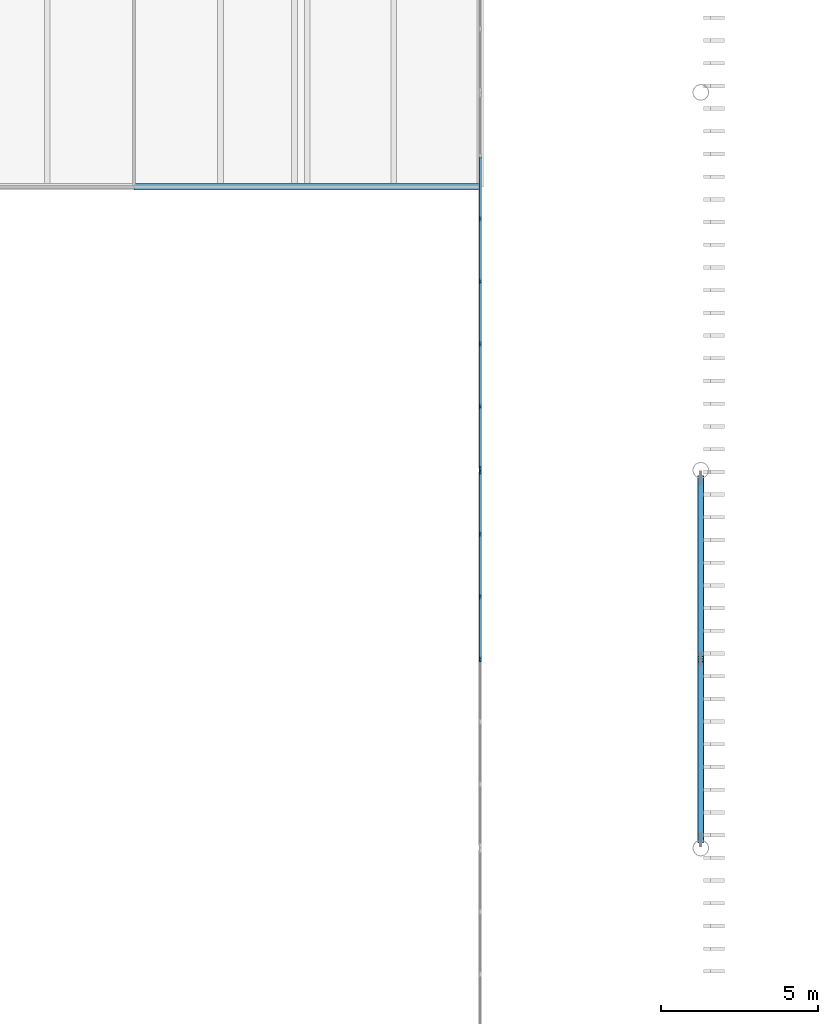
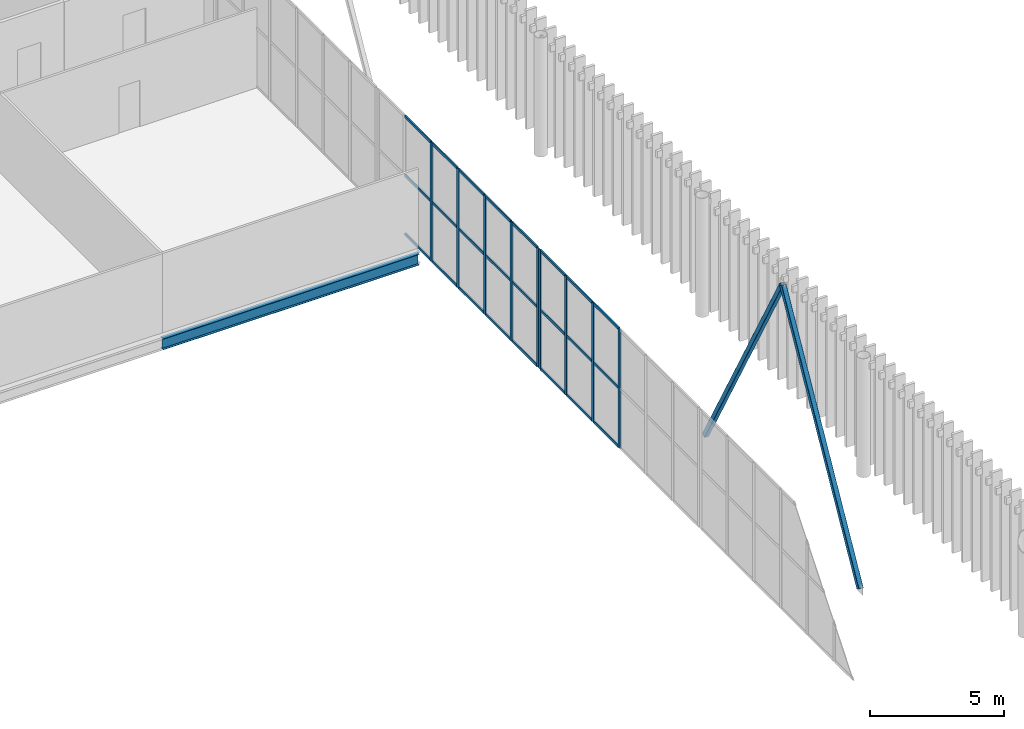
# One storey, part 71 of 170: 35 members, 1 beam, 2 elements without a shape of their own.
"""IFC4 building model written with IfcOpenShell, lengths in metres."""

from ifc_helpers import new_model, si_unit, direction, frame, origin, origin_2d, place, context, subcontext, project, spatial, rectangle, hollow_rectangle, i_section, extrude, material, layer, layer_set, material_profile, profile_set, type_object, element, aggregate, save


model = new_model("IFC4")

# Units and contexts
model_context = context("Model", 3, precision=1e-05, world=origin(), true_north=direction((0.0, 1.0)))
body_context = subcontext(model_context, "Body", "Model", "MODEL_VIEW")
ifc_project = project(units=[si_unit("LENGTHUNIT", "METRE"), si_unit("AREAUNIT", "SQUARE_METRE"), si_unit("VOLUMEUNIT", "CUBIC_METRE"), si_unit("PLANEANGLEUNIT", "RADIAN"), si_unit("MASSUNIT", "GRAM", prefix="KILO")], contexts=[model_context])

# Site, building, storey
site_placement = place(None, origin())
site = spatial("IfcSite", under=ifc_project, at=site_placement, CompositionType="ELEMENT")
building_placement = place(site_placement, origin())
building = spatial("IfcBuilding", under=site, at=building_placement, Name="Ravi Spectrum Wholesale Market", CompositionType="ELEMENT")
storey_placement = place(building_placement, frame((0.0, 0.0, 5.39990234375)))
storey = spatial("IfcBuildingStorey", under=building, at=storey_placement, Name="L01", CompositionType="ELEMENT", Elevation=5.39990234375)

# Beam
ifc_material_1 = material(Name="Steel S355", Category="steel")
ifc_material_profile_1 = material_profile(ifc_material_1, i_section(OverallWidth=0.199951171875, OverallDepth=0.5, WebThickness=0.01025390625, FlangeThickness=0.01611328125, at=origin_2d()))
ifc_profile_set_1 = profile_set([ifc_material_profile_1], Name="Steel S355")
beam_type = type_object("IfcBeamType", Name="IPE 500 girder", PredefinedType="BEAM", material=ifc_profile_set_1)
beam_placement = place(storey_placement, frame((92.0, 171.0, -0.5), z_axis=(1.0, 0.0, 0.0), x_axis=(0.0, 1.0, 0.0)))
element("IfcBeam", 1, at=beam_placement, inside=storey, type_object=beam_type, Name="H1-BM-L01-006", PredefinedType="BEAM", context=body_context, shape_type="SweptSolid", body=[
    extrude(i_section(OverallWidth=0.199951171875, OverallDepth=0.5, WebThickness=0.01025390625, FlangeThickness=0.01611328125, at=origin_2d()), origin(), (0.0, 0.0, 1.0), 11.0),
])

# Curtain wall, members
ifc_material_2 = material(Name="Aluminium 6063-T6", Category="aluminium")
ifc_layer = layer(ifc_material_2, 0.14990234375)
ifc_layer_set = layer_set([ifc_layer], Name="Aluminium 6063-T6")
curtain_wall_type = type_object("IfcCurtainWallType", Name="Curtain wall 150", PredefinedType="NOTDEFINED", material=ifc_layer_set)
curtain_wall_1_placement = place(storey_placement, origin())
curtain_wall_1 = element("IfcCurtainWall", 2, at=curtain_wall_1_placement, inside=storey, type_object=curtain_wall_type, Name="H1-CW-L01-025", PredefinedType="NOTDEFINED")
ifc_material_3 = material(Name="Aluminium 6063-T6", Category="aluminium")
ifc_material_profile_2 = material_profile(ifc_material_3, rectangle(XDim=0.06005859375, YDim=0.159912109375, at=origin_2d()))
ifc_profile_set_2 = profile_set([ifc_material_profile_2], Name="Aluminium 6063-T6")
member_type_1 = type_object("IfcMemberType", Name="Mullion 60 x 160", PredefinedType="MULLION", material=ifc_profile_set_2)
member_1_placement = place(storey_placement, frame((103.0, 156.0, 0.0), z_axis=(0.0, 0.0, 1.0), x_axis=(-1.0, 0.0, 0.0)))
member_1 = element("IfcMember", 3, at=member_1_placement, type_object=member_type_1, Name="H1-CW-L01-025 mullion 4", PredefinedType="MULLION", context=body_context, shape_type="SweptSolid", body=[
    extrude(rectangle(XDim=0.06005859375, YDim=0.159912109375, at=origin_2d()), origin(), (0.0, 0.0, 1.0), 5.400146484375),
])
member_2_placement = place(storey_placement, frame((103.0, 157.986572265625, 0.0), z_axis=(0.0, 0.0, 1.0), x_axis=(-1.0, 0.0, 0.0)))
member_2 = element("IfcMember", 4, at=member_2_placement, type_object=member_type_1, Name="H1-CW-L01-025 mullion 5", PredefinedType="MULLION", context=body_context, shape_type="SweptSolid", body=[
    extrude(rectangle(XDim=0.06005859375, YDim=0.159912109375, at=origin_2d()), origin(), (0.0, 0.0, 1.0), 5.400146484375),
])
member_3_placement = place(storey_placement, frame((103.0, 159.973388671875, 0.0), z_axis=(0.0, 0.0, 1.0), x_axis=(-1.0, 0.0, 0.0)))
member_3 = element("IfcMember", 5, at=member_3_placement, type_object=member_type_1, Name="H1-CW-L01-025 mullion 6", PredefinedType="MULLION", context=body_context, shape_type="SweptSolid", body=[
    extrude(rectangle(XDim=0.06005859375, YDim=0.159912109375, at=origin_2d()), origin(), (0.0, 0.0, 1.0), 5.400146484375),
])
member_4_placement = place(storey_placement, frame((103.0, 161.929931640625, 0.0), z_axis=(0.0, 0.0, 1.0), x_axis=(-1.0, 0.0, 0.0)))
member_4 = element("IfcMember", 6, at=member_4_placement, type_object=member_type_1, Name="H1-CW-L01-025 mullion 7", PredefinedType="MULLION", context=body_context, shape_type="SweptSolid", body=[
    extrude(rectangle(XDim=0.06005859375, YDim=0.159912109375, at=origin_2d()), origin(), (0.0, 0.0, 1.0), 5.400146484375),
])

curtain_wall_2_placement = place(storey_placement, origin())
curtain_wall_2 = element("IfcCurtainWall", 7, at=curtain_wall_2_placement, inside=storey, type_object=curtain_wall_type, Name="H1-CW-L01-026", PredefinedType="NOTDEFINED")
member_5_placement = place(storey_placement, frame((103.0, 162.070068359375, 0.0), z_axis=(0.0, 0.0, 1.0), x_axis=(-1.0, 0.0, 0.0)))
member_5 = element("IfcMember", 8, at=member_5_placement, type_object=member_type_1, Name="H1-CW-L01-026 mullion 1", PredefinedType="MULLION", context=body_context, shape_type="SweptSolid", body=[
    extrude(rectangle(XDim=0.06005859375, YDim=0.159912109375, at=origin_2d()), origin(), (0.0, 0.0, 1.0), 5.400146484375),
])
member_6_placement = place(storey_placement, frame((103.0, 164.026611328125, 0.0), z_axis=(0.0, 0.0, 1.0), x_axis=(-1.0, 0.0, 0.0)))
member_6 = element("IfcMember", 9, at=member_6_placement, type_object=member_type_1, Name="H1-CW-L01-026 mullion 2", PredefinedType="MULLION", context=body_context, shape_type="SweptSolid", body=[
    extrude(rectangle(XDim=0.06005859375, YDim=0.159912109375, at=origin_2d()), origin(), (0.0, 0.0, 1.0), 5.400146484375),
])
member_7_placement = place(storey_placement, frame((103.0, 166.013427734375, 0.0), z_axis=(0.0, 0.0, 1.0), x_axis=(-1.0, 0.0, 0.0)))
member_7 = element("IfcMember", 10, at=member_7_placement, type_object=member_type_1, Name="H1-CW-L01-026 mullion 3", PredefinedType="MULLION", context=body_context, shape_type="SweptSolid", body=[
    extrude(rectangle(XDim=0.06005859375, YDim=0.159912109375, at=origin_2d()), origin(), (0.0, 0.0, 1.0), 5.400146484375),
])
member_8_placement = place(storey_placement, frame((103.0, 168.0, 0.0), z_axis=(0.0, 0.0, 1.0), x_axis=(-1.0, 0.0, 0.0)))
member_8 = element("IfcMember", 11, at=member_8_placement, type_object=member_type_1, Name="H1-CW-L01-026 mullion 4", PredefinedType="MULLION", context=body_context, shape_type="SweptSolid", body=[
    extrude(rectangle(XDim=0.06005859375, YDim=0.159912109375, at=origin_2d()), origin(), (0.0, 0.0, 1.0), 5.400146484375),
])
member_9_placement = place(storey_placement, frame((103.0, 169.986572265625, 0.0), z_axis=(0.0, 0.0, 1.0), x_axis=(-1.0, 0.0, 0.0)))
member_9 = element("IfcMember", 12, at=member_9_placement, type_object=member_type_1, Name="H1-CW-L01-026 mullion 5", PredefinedType="MULLION", context=body_context, shape_type="SweptSolid", body=[
    extrude(rectangle(XDim=0.06005859375, YDim=0.159912109375, at=origin_2d()), origin(), (0.0, 0.0, 1.0), 5.400146484375),
])

# Members
ifc_material_4 = material(Name="Steel S355", Category="steel")
ifc_material_profile_3 = material_profile(ifc_material_4, hollow_rectangle(XDim=0.199951171875, YDim=0.199951171875, WallThickness=0.008056640625, InnerFilletRadius=0.008056640625, OuterFilletRadius=0.01611328125, at=origin_2d()))
ifc_profile_set_3 = profile_set([ifc_material_profile_3], Name="Steel S355")
member_type_2 = type_object("IfcMemberType", Name="SHS 200x200x8 brace", PredefinedType="BRACE", material=ifc_profile_set_3)
for number, where, z_axis, x_axis, name in (
    (13, (110.0, 150.25390625, -5.350830078125), (0.0, 0.487151805571, 0.873317306784), (-1.0, 0.0, 0.0), "H1-MB-L01-021"),
    (14, (110.0, 161.74609375, -5.350830078125), (0.0, -0.487151805571, 0.873317306784), (1.0, 0.0, 0.0), "H1-MB-L01-022"),
):
    element("IfcMember", number, at=place(storey_placement, frame(where, z_axis=z_axis, x_axis=x_axis)), inside=storey, type_object=member_type_2, Name=name, PredefinedType="BRACE", context=body_context, shape_type="SweptSolid", body=[
        extrude(hollow_rectangle(XDim=0.199951171875, YDim=0.199951171875, WallThickness=0.008056640625, InnerFilletRadius=0.008056640625, OuterFilletRadius=0.01611328125, at=origin_2d()), origin(), (0.0, 0.0, 1.0), 11.795166015625),
    ])

# Member
ifc_material_5 = material(Name="Aluminium 6063-T6", Category="aluminium")
ifc_material_profile_4 = material_profile(ifc_material_5, rectangle(XDim=0.06005859375, YDim=0.1201171875, at=origin_2d()))
ifc_profile_set_4 = profile_set([ifc_material_profile_4], Name="Aluminium 6063-T6")
member_type_3 = type_object("IfcMemberType", Name="Transom 60 x 120", PredefinedType="USERDEFINED", material=ifc_profile_set_4)
member_10_placement = place(storey_placement, frame((103.0, 156.030029296875, 0.030029296875), z_axis=(0.0, 1.0, 0.0), x_axis=(-1.0, 0.0, 0.0)))
member_10 = element("IfcMember", 15, at=member_10_placement, type_object=member_type_3, Name="H1-CW-L01-025 transom 4.1", ObjectType="TRANSOM", PredefinedType="USERDEFINED", context=body_context, shape_type="SweptSolid", body=[
    extrude(rectangle(XDim=0.06005859375, YDim=0.1201171875, at=origin_2d()), origin(), (0.0, 0.0, 1.0), 1.9267578125),
])

member_11_placement = place(storey_placement, frame((103.0, 156.030029296875, 2.7001953125), z_axis=(0.0, 1.0, 0.0), x_axis=(-1.0, 0.0, 0.0)))
member_11 = element("IfcMember", 16, at=member_11_placement, type_object=member_type_3, Name="H1-CW-L01-025 transom 4.2", ObjectType="TRANSOM", PredefinedType="USERDEFINED", context=body_context, shape_type="SweptSolid", body=[
    extrude(rectangle(XDim=0.06005859375, YDim=0.1201171875, at=origin_2d()), origin(), (0.0, 0.0, 1.0), 1.9267578125),
])

member_12_placement = place(storey_placement, frame((103.0, 156.030029296875, 5.3701171875), z_axis=(0.0, 1.0, 0.0), x_axis=(-1.0, 0.0, 0.0)))
member_12 = element("IfcMember", 17, at=member_12_placement, type_object=member_type_3, Name="H1-CW-L01-025 transom 4.3", ObjectType="TRANSOM", PredefinedType="USERDEFINED", context=body_context, shape_type="SweptSolid", body=[
    extrude(rectangle(XDim=0.06005859375, YDim=0.1201171875, at=origin_2d()), origin(), (0.0, 0.0, 1.0), 1.9267578125),
])

member_13_placement = place(storey_placement, frame((103.0, 158.0166015625, 0.030029296875), z_axis=(0.0, 1.0, 0.0), x_axis=(-1.0, 0.0, 0.0)))
member_13 = element("IfcMember", 18, at=member_13_placement, type_object=member_type_3, Name="H1-CW-L01-025 transom 5.1", ObjectType="TRANSOM", PredefinedType="USERDEFINED", context=body_context, shape_type="SweptSolid", body=[
    extrude(rectangle(XDim=0.06005859375, YDim=0.1201171875, at=origin_2d()), origin(), (0.0, 0.0, 1.0), 1.9267578125),
])

member_14_placement = place(storey_placement, frame((103.0, 158.0166015625, 2.7001953125), z_axis=(0.0, 1.0, 0.0), x_axis=(-1.0, 0.0, 0.0)))
member_14 = element("IfcMember", 19, at=member_14_placement, type_object=member_type_3, Name="H1-CW-L01-025 transom 5.2", ObjectType="TRANSOM", PredefinedType="USERDEFINED", context=body_context, shape_type="SweptSolid", body=[
    extrude(rectangle(XDim=0.06005859375, YDim=0.1201171875, at=origin_2d()), origin(), (0.0, 0.0, 1.0), 1.9267578125),
])

member_15_placement = place(storey_placement, frame((103.0, 158.0166015625, 5.3701171875), z_axis=(0.0, 1.0, 0.0), x_axis=(-1.0, 0.0, 0.0)))
member_15 = element("IfcMember", 20, at=member_15_placement, type_object=member_type_3, Name="H1-CW-L01-025 transom 5.3", ObjectType="TRANSOM", PredefinedType="USERDEFINED", context=body_context, shape_type="SweptSolid", body=[
    extrude(rectangle(XDim=0.06005859375, YDim=0.1201171875, at=origin_2d()), origin(), (0.0, 0.0, 1.0), 1.9267578125),
])

member_16_placement = place(storey_placement, frame((103.0, 160.00341796875, 0.030029296875), z_axis=(0.0, 1.0, 0.0), x_axis=(-1.0, 0.0, 0.0)))
member_16 = element("IfcMember", 21, at=member_16_placement, type_object=member_type_3, Name="H1-CW-L01-025 transom 6.1", ObjectType="TRANSOM", PredefinedType="USERDEFINED", context=body_context, shape_type="SweptSolid", body=[
    extrude(rectangle(XDim=0.06005859375, YDim=0.1201171875, at=origin_2d()), origin(), (0.0, 0.0, 1.0), 1.896484375),
])

member_17_placement = place(storey_placement, frame((103.0, 160.00341796875, 2.7001953125), z_axis=(0.0, 1.0, 0.0), x_axis=(-1.0, 0.0, 0.0)))
member_17 = element("IfcMember", 22, at=member_17_placement, type_object=member_type_3, Name="H1-CW-L01-025 transom 6.2", ObjectType="TRANSOM", PredefinedType="USERDEFINED", context=body_context, shape_type="SweptSolid", body=[
    extrude(rectangle(XDim=0.06005859375, YDim=0.1201171875, at=origin_2d()), origin(), (0.0, 0.0, 1.0), 1.896484375),
])

member_18_placement = place(storey_placement, frame((103.0, 160.00341796875, 5.3701171875), z_axis=(0.0, 1.0, 0.0), x_axis=(-1.0, 0.0, 0.0)))
member_18 = element("IfcMember", 23, at=member_18_placement, type_object=member_type_3, Name="H1-CW-L01-025 transom 6.3", ObjectType="TRANSOM", PredefinedType="USERDEFINED", context=body_context, shape_type="SweptSolid", body=[
    extrude(rectangle(XDim=0.06005859375, YDim=0.1201171875, at=origin_2d()), origin(), (0.0, 0.0, 1.0), 1.896484375),
])

aggregate(curtain_wall_1, [member_1, member_2, member_3, member_4, member_10, member_11, member_12, member_13, member_14, member_15, member_16, member_17, member_18])

member_19_placement = place(storey_placement, frame((103.0, 162.10009765625, 0.030029296875), z_axis=(0.0, 1.0, 0.0), x_axis=(-1.0, 0.0, 0.0)))
member_19 = element("IfcMember", 24, at=member_19_placement, type_object=member_type_3, Name="H1-CW-L01-026 transom 1.1", ObjectType="TRANSOM", PredefinedType="USERDEFINED", context=body_context, shape_type="SweptSolid", body=[
    extrude(rectangle(XDim=0.06005859375, YDim=0.1201171875, at=origin_2d()), origin(), (0.0, 0.0, 1.0), 1.896484375),
])

member_20_placement = place(storey_placement, frame((103.0, 162.10009765625, 2.7001953125), z_axis=(0.0, 1.0, 0.0), x_axis=(-1.0, 0.0, 0.0)))
member_20 = element("IfcMember", 25, at=member_20_placement, type_object=member_type_3, Name="H1-CW-L01-026 transom 1.2", ObjectType="TRANSOM", PredefinedType="USERDEFINED", context=body_context, shape_type="SweptSolid", body=[
    extrude(rectangle(XDim=0.06005859375, YDim=0.1201171875, at=origin_2d()), origin(), (0.0, 0.0, 1.0), 1.896484375),
])

member_21_placement = place(storey_placement, frame((103.0, 162.10009765625, 5.3701171875), z_axis=(0.0, 1.0, 0.0), x_axis=(-1.0, 0.0, 0.0)))
member_21 = element("IfcMember", 26, at=member_21_placement, type_object=member_type_3, Name="H1-CW-L01-026 transom 1.3", ObjectType="TRANSOM", PredefinedType="USERDEFINED", context=body_context, shape_type="SweptSolid", body=[
    extrude(rectangle(XDim=0.06005859375, YDim=0.1201171875, at=origin_2d()), origin(), (0.0, 0.0, 1.0), 1.896484375),
])

member_22_placement = place(storey_placement, frame((103.0, 164.056640625, 0.030029296875), z_axis=(0.0, 1.0, 0.0), x_axis=(-1.0, 0.0, 0.0)))
member_22 = element("IfcMember", 27, at=member_22_placement, type_object=member_type_3, Name="H1-CW-L01-026 transom 2.1", ObjectType="TRANSOM", PredefinedType="USERDEFINED", context=body_context, shape_type="SweptSolid", body=[
    extrude(rectangle(XDim=0.06005859375, YDim=0.1201171875, at=origin_2d()), origin(), (0.0, 0.0, 1.0), 1.9267578125),
])

member_23_placement = place(storey_placement, frame((103.0, 164.056640625, 2.7001953125), z_axis=(0.0, 1.0, 0.0), x_axis=(-1.0, 0.0, 0.0)))
member_23 = element("IfcMember", 28, at=member_23_placement, type_object=member_type_3, Name="H1-CW-L01-026 transom 2.2", ObjectType="TRANSOM", PredefinedType="USERDEFINED", context=body_context, shape_type="SweptSolid", body=[
    extrude(rectangle(XDim=0.06005859375, YDim=0.1201171875, at=origin_2d()), origin(), (0.0, 0.0, 1.0), 1.9267578125),
])

member_24_placement = place(storey_placement, frame((103.0, 164.056640625, 5.3701171875), z_axis=(0.0, 1.0, 0.0), x_axis=(-1.0, 0.0, 0.0)))
member_24 = element("IfcMember", 29, at=member_24_placement, type_object=member_type_3, Name="H1-CW-L01-026 transom 2.3", ObjectType="TRANSOM", PredefinedType="USERDEFINED", context=body_context, shape_type="SweptSolid", body=[
    extrude(rectangle(XDim=0.06005859375, YDim=0.1201171875, at=origin_2d()), origin(), (0.0, 0.0, 1.0), 1.9267578125),
])

member_25_placement = place(storey_placement, frame((103.0, 166.043212890625, 0.030029296875), z_axis=(0.0, 1.0, 0.0), x_axis=(-1.0, 0.0, 0.0)))
member_25 = element("IfcMember", 30, at=member_25_placement, type_object=member_type_3, Name="H1-CW-L01-026 transom 3.1", ObjectType="TRANSOM", PredefinedType="USERDEFINED", context=body_context, shape_type="SweptSolid", body=[
    extrude(rectangle(XDim=0.06005859375, YDim=0.1201171875, at=origin_2d()), origin(), (0.0, 0.0, 1.0), 1.9267578125),
])

member_26_placement = place(storey_placement, frame((103.0, 166.043212890625, 2.7001953125), z_axis=(0.0, 1.0, 0.0), x_axis=(-1.0, 0.0, 0.0)))
member_26 = element("IfcMember", 31, at=member_26_placement, type_object=member_type_3, Name="H1-CW-L01-026 transom 3.2", ObjectType="TRANSOM", PredefinedType="USERDEFINED", context=body_context, shape_type="SweptSolid", body=[
    extrude(rectangle(XDim=0.06005859375, YDim=0.1201171875, at=origin_2d()), origin(), (0.0, 0.0, 1.0), 1.9267578125),
])

member_27_placement = place(storey_placement, frame((103.0, 166.043212890625, 5.3701171875), z_axis=(0.0, 1.0, 0.0), x_axis=(-1.0, 0.0, 0.0)))
member_27 = element("IfcMember", 32, at=member_27_placement, type_object=member_type_3, Name="H1-CW-L01-026 transom 3.3", ObjectType="TRANSOM", PredefinedType="USERDEFINED", context=body_context, shape_type="SweptSolid", body=[
    extrude(rectangle(XDim=0.06005859375, YDim=0.1201171875, at=origin_2d()), origin(), (0.0, 0.0, 1.0), 1.9267578125),
])

member_28_placement = place(storey_placement, frame((103.0, 168.030029296875, 0.030029296875), z_axis=(0.0, 1.0, 0.0), x_axis=(-1.0, 0.0, 0.0)))
member_28 = element("IfcMember", 33, at=member_28_placement, type_object=member_type_3, Name="H1-CW-L01-026 transom 4.1", ObjectType="TRANSOM", PredefinedType="USERDEFINED", context=body_context, shape_type="SweptSolid", body=[
    extrude(rectangle(XDim=0.06005859375, YDim=0.1201171875, at=origin_2d()), origin(), (0.0, 0.0, 1.0), 1.9267578125),
])

member_29_placement = place(storey_placement, frame((103.0, 168.030029296875, 2.7001953125), z_axis=(0.0, 1.0, 0.0), x_axis=(-1.0, 0.0, 0.0)))
member_29 = element("IfcMember", 34, at=member_29_placement, type_object=member_type_3, Name="H1-CW-L01-026 transom 4.2", ObjectType="TRANSOM", PredefinedType="USERDEFINED", context=body_context, shape_type="SweptSolid", body=[
    extrude(rectangle(XDim=0.06005859375, YDim=0.1201171875, at=origin_2d()), origin(), (0.0, 0.0, 1.0), 1.9267578125),
])

member_30_placement = place(storey_placement, frame((103.0, 168.030029296875, 5.3701171875), z_axis=(0.0, 1.0, 0.0), x_axis=(-1.0, 0.0, 0.0)))
member_30 = element("IfcMember", 35, at=member_30_placement, type_object=member_type_3, Name="H1-CW-L01-026 transom 4.3", ObjectType="TRANSOM", PredefinedType="USERDEFINED", context=body_context, shape_type="SweptSolid", body=[
    extrude(rectangle(XDim=0.06005859375, YDim=0.1201171875, at=origin_2d()), origin(), (0.0, 0.0, 1.0), 1.9267578125),
])

member_31_placement = place(storey_placement, frame((103.0, 170.0166015625, 0.030029296875), z_axis=(0.0, 1.0, 0.0), x_axis=(-1.0, 0.0, 0.0)))
member_31 = element("IfcMember", 36, at=member_31_placement, type_object=member_type_3, Name="H1-CW-L01-026 transom 5.1", ObjectType="TRANSOM", PredefinedType="USERDEFINED", context=body_context, shape_type="SweptSolid", body=[
    extrude(rectangle(XDim=0.06005859375, YDim=0.1201171875, at=origin_2d()), origin(), (0.0, 0.0, 1.0), 1.9267578125),
])

member_32_placement = place(storey_placement, frame((103.0, 170.0166015625, 2.7001953125), z_axis=(0.0, 1.0, 0.0), x_axis=(-1.0, 0.0, 0.0)))
member_32 = element("IfcMember", 37, at=member_32_placement, type_object=member_type_3, Name="H1-CW-L01-026 transom 5.2", ObjectType="TRANSOM", PredefinedType="USERDEFINED", context=body_context, shape_type="SweptSolid", body=[
    extrude(rectangle(XDim=0.06005859375, YDim=0.1201171875, at=origin_2d()), origin(), (0.0, 0.0, 1.0), 1.9267578125),
])

member_33_placement = place(storey_placement, frame((103.0, 170.0166015625, 5.3701171875), z_axis=(0.0, 1.0, 0.0), x_axis=(-1.0, 0.0, 0.0)))
member_33 = element("IfcMember", 38, at=member_33_placement, type_object=member_type_3, Name="H1-CW-L01-026 transom 5.3", ObjectType="TRANSOM", PredefinedType="USERDEFINED", context=body_context, shape_type="SweptSolid", body=[
    extrude(rectangle(XDim=0.06005859375, YDim=0.1201171875, at=origin_2d()), origin(), (0.0, 0.0, 1.0), 1.9267578125),
])

aggregate(curtain_wall_2, [member_5, member_6, member_7, member_8, member_9, member_19, member_20, member_21, member_22, member_23, member_24, member_25, member_26, member_27, member_28, member_29, member_30, member_31, member_32, member_33])

save(model, "model.ifc")
